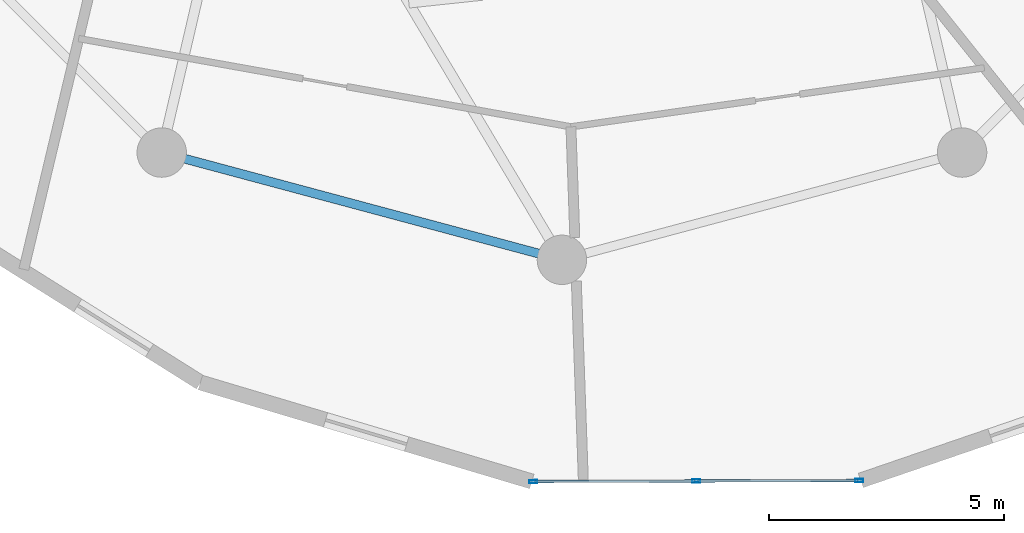
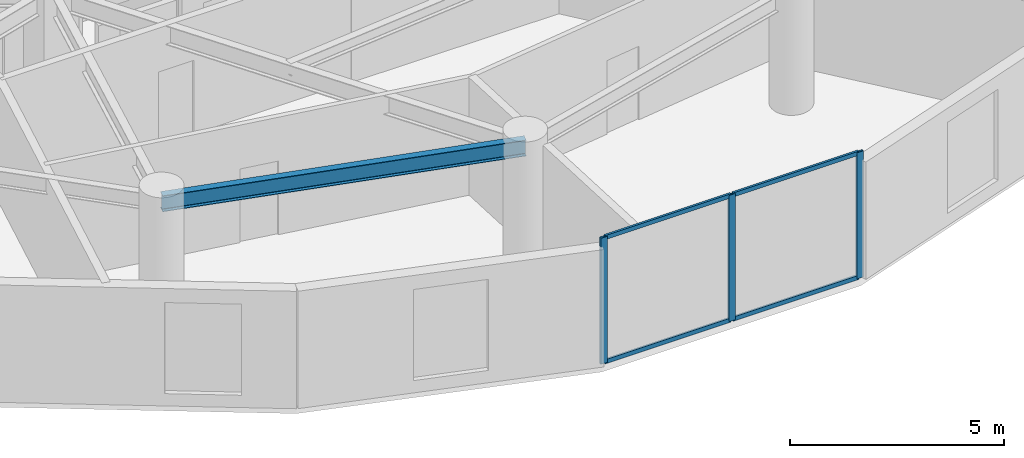
# One storey, part 2 of 21: 7 members, 1 beam, 1 element without a shape of its own.
"""IFC4 building model written with IfcOpenShell, lengths in metres."""

from ifc_helpers import new_model, si_unit, direction, frame, origin, origin_2d, place, context, subcontext, project, spatial, hollow_rectangle, i_section, extrude, source, transform, mapped, material, layer, layer_set, material_profile, profile_set, type_object, element, aggregate, save


model = new_model("IFC4")

# Units and contexts
model_context = context("Model", 3, precision=1e-05, world=origin(), true_north=direction((0.0, 1.0)))
body_context = subcontext(model_context, "Body", "Model", "MODEL_VIEW")
ifc_project = project(units=[si_unit("LENGTHUNIT", "METRE"), si_unit("AREAUNIT", "SQUARE_METRE"), si_unit("VOLUMEUNIT", "CUBIC_METRE"), si_unit("PLANEANGLEUNIT", "RADIAN"), si_unit("MASSUNIT", "GRAM", prefix="KILO")], contexts=[model_context])

# Site, building, storey
site_placement = place(None, origin())
site = spatial("IfcSite", under=ifc_project, at=site_placement, CompositionType="ELEMENT")
building_placement = place(site_placement, origin())
building = spatial("IfcBuilding", under=site, at=building_placement, Name="Solvirekh Grand Hotel", CompositionType="ELEMENT")
storey_placement = place(building_placement, frame((0.0, 0.0, 131.39990234375)))
storey = spatial("IfcBuildingStorey", under=building, at=storey_placement, Name="L33", CompositionType="ELEMENT", Elevation=131.39990234375)

# Beam
ifc_material_1 = material(Name="Steel S355", Category="steel")
ifc_material_profile_1 = material_profile(ifc_material_1, i_section(OverallWidth=0.18994140625, OverallDepth=0.45703125, WebThickness=0.009033203125, FlangeThickness=0.013916015625, FilletRadius=0.012939453125, at=origin_2d()), Name="W460X74")
ifc_profile_set_1 = profile_set([ifc_material_profile_1], Name="Steel S355")
beam_type = type_object("IfcBeamType", Name="Spandrel_Ring_W460", PredefinedType="SPANDREL", material=ifc_profile_set_1)
beam_placement = place(storey_placement, frame((-8.5, -14.721923828125, 3.1220703125), z_axis=(0.965911391906, -0.258872908946, 0.0), x_axis=(0.258872908946, 0.965911391906, 0.0)))
element("IfcBeam", 1, at=beam_placement, inside=storey, type_object=beam_type, Name="L33 perimeter spandrel beam 9", PredefinedType="SPANDREL", context=body_context, shape_type="SweptSolid", body=[
    extrude(i_section(OverallWidth=0.18994140625, OverallDepth=0.45703125, WebThickness=0.009033203125, FlangeThickness=0.013916015625, FilletRadius=0.012939453125, at=origin_2d()), origin(), (0.0, 0.0, 1.0), 8.800048828125),
])

# Curtain wall, members
ifc_material_2 = material(Name="Anodized Bronze Aluminium 6063-T6", Category="aluminium")
ifc_layer = layer(ifc_material_2, 0.175048828125)
ifc_layer_set = layer_set([ifc_layer], Name="Anodized Bronze Aluminium 6063-T6")
curtain_wall_type = type_object("IfcCurtainWallType", Name="CW_Sys3_MidZoneFlushBronzeCW", PredefinedType="NOTDEFINED", material=ifc_layer_set)
curtain_wall_placement = place(storey_placement, origin())
curtain_wall = element("IfcCurtainWall", 2, at=curtain_wall_placement, inside=storey, type_object=curtain_wall_type, Name="L33 unitised bronze-glass curtain wall CW-L33-C18", PredefinedType="NOTDEFINED")
ifc_material_profile_2 = material_profile(ifc_material_2, hollow_rectangle(XDim=0.06494140625, YDim=0.175048828125, WallThickness=0.0048828125, at=origin_2d()), Name="ALU RHS 175X65X5")
ifc_profile_set_2 = profile_set([ifc_material_profile_2], Name="Anodized Bronze Aluminium 6063-T6")
member_type_1 = type_object("IfcMemberType", Name="CWMullion_Sys3", PredefinedType="MULLION", material=ifc_profile_set_2)
shared_shape_1 = source(origin(), body_context, "Body", "SweptSolid", [
    extrude(hollow_rectangle(XDim=0.06494140625, YDim=0.175048828125, WallThickness=0.0048828125, at=origin_2d()), origin(), (0.0, 0.0, 1.0), 3.60009765625),
])
member_1_placement = place(storey_placement, frame((-0.607421875, -21.708984375, 0.0), z_axis=(0.0, 0.0, 1.0), x_axis=(-0.003147788104, 0.999995045703, 0.0)))
member_1 = element("IfcMember", 3, at=member_1_placement, type_object=member_type_1, Name="U03 mullion 1", PredefinedType="MULLION", context=body_context, shape_type="MappedRepresentation", body=[
    mapped(shared_shape_1, transform((0.0, 0.0, 0.0), x_axis=(1.0, 0.0, 0.0), y_axis=(0.0, 1.0, 0.0), z_axis=(0.0, 0.0, 1.0), scale=1.0)),
])
member_2_placement = place(storey_placement, frame((2.8544921875, -21.697998046875, 0.0), z_axis=(0.0, 0.0, 1.0), x_axis=(-0.003147788104, 0.999995045703, 0.0)))
member_2 = element("IfcMember", 4, at=member_2_placement, type_object=member_type_1, Name="U03 mullion 2", PredefinedType="MULLION", context=body_context, shape_type="MappedRepresentation", body=[
    mapped(shared_shape_1, transform((0.0, 0.0, 0.0), x_axis=(1.0, 0.0, 0.0), y_axis=(0.0, 1.0, 0.0), z_axis=(0.0, 0.0, 1.0), scale=1.0)),
])
member_3_placement = place(storey_placement, frame((6.31640625, -21.68701171875, 0.0), z_axis=(0.0, 0.0, 1.0), x_axis=(-0.003147788104, 0.999995045703, 0.0)))
member_3 = element("IfcMember", 5, at=member_3_placement, type_object=member_type_1, Name="U03 mullion 3", PredefinedType="MULLION", context=body_context, shape_type="MappedRepresentation", body=[
    mapped(shared_shape_1, transform((0.0, 0.0, 0.0), x_axis=(1.0, 0.0, 0.0), y_axis=(0.0, 1.0, 0.0), z_axis=(0.0, 0.0, 1.0), scale=1.0)),
])
ifc_material_profile_3 = material_profile(ifc_material_2, hollow_rectangle(XDim=0.054931640625, YDim=0.1201171875, WallThickness=0.00390625, at=origin_2d()), Name="ALU RHS 120X55X4")
ifc_profile_set_3 = profile_set([ifc_material_profile_3], Name="Anodized Bronze Aluminium 6063-T6")
member_type_2 = type_object("IfcMemberType", Name="CWTransom_Sys3", PredefinedType="USERDEFINED", material=ifc_profile_set_3)
shared_shape_2 = source(origin(), body_context, "Body", "SweptSolid", [
    extrude(hollow_rectangle(XDim=0.054931640625, YDim=0.1201171875, WallThickness=0.00390625, at=origin_2d()), origin(), (0.0, 0.0, 1.0), 3.39697265625),
])
member_4_placement = place(storey_placement, frame((-0.574951171875, -21.708740234375, 0.027587890625), z_axis=(0.999995000022, 0.003162266782, 0.0), x_axis=(-0.003162266782, 0.999995000022, 0.0)))
member_4 = element("IfcMember", 6, at=member_4_placement, type_object=member_type_2, Name="U03 transom 1.1", ObjectType="TRANSOM", PredefinedType="USERDEFINED", context=body_context, shape_type="MappedRepresentation", body=[
    mapped(shared_shape_2, transform((0.0, 0.0, 0.0), x_axis=(1.0, 0.0, 0.0), y_axis=(0.0, 1.0, 0.0), z_axis=(0.0, 0.0, 1.0), scale=1.0)),
])
member_5_placement = place(storey_placement, frame((-0.574951171875, -21.708740234375, 3.572509765625), z_axis=(0.999995000022, 0.003162266782, 0.0), x_axis=(-0.003162266782, 0.999995000022, 0.0)))
member_5 = element("IfcMember", 7, at=member_5_placement, type_object=member_type_2, Name="U03 transom 1.2", ObjectType="TRANSOM", PredefinedType="USERDEFINED", context=body_context, shape_type="MappedRepresentation", body=[
    mapped(shared_shape_2, transform((0.0, 0.0, 0.0), x_axis=(1.0, 0.0, 0.0), y_axis=(0.0, 1.0, 0.0), z_axis=(0.0, 0.0, 1.0), scale=1.0)),
])
member_6_placement = place(storey_placement, frame((2.886962890625, -21.697998046875, 0.027587890625), z_axis=(0.999995000022, 0.003162266782, 0.0), x_axis=(-0.003162266782, 0.999995000022, 0.0)))
member_6 = element("IfcMember", 8, at=member_6_placement, type_object=member_type_2, Name="U03 transom 2.1", ObjectType="TRANSOM", PredefinedType="USERDEFINED", context=body_context, shape_type="MappedRepresentation", body=[
    mapped(shared_shape_2, transform((0.0, 0.0, 0.0), x_axis=(1.0, 0.0, 0.0), y_axis=(0.0, 1.0, 0.0), z_axis=(0.0, 0.0, 1.0), scale=1.0)),
])
member_7_placement = place(storey_placement, frame((2.886962890625, -21.697998046875, 3.572509765625), z_axis=(0.999995000022, 0.003162266782, 0.0), x_axis=(-0.003162266782, 0.999995000022, 0.0)))
member_7 = element("IfcMember", 9, at=member_7_placement, type_object=member_type_2, Name="U03 transom 2.2", ObjectType="TRANSOM", PredefinedType="USERDEFINED", context=body_context, shape_type="MappedRepresentation", body=[
    mapped(shared_shape_2, transform((0.0, 0.0, 0.0), x_axis=(1.0, 0.0, 0.0), y_axis=(0.0, 1.0, 0.0), z_axis=(0.0, 0.0, 1.0), scale=1.0)),
])
aggregate(curtain_wall, [member_1, member_2, member_3, member_4, member_5, member_6, member_7])

save(model, "model.ifc")
